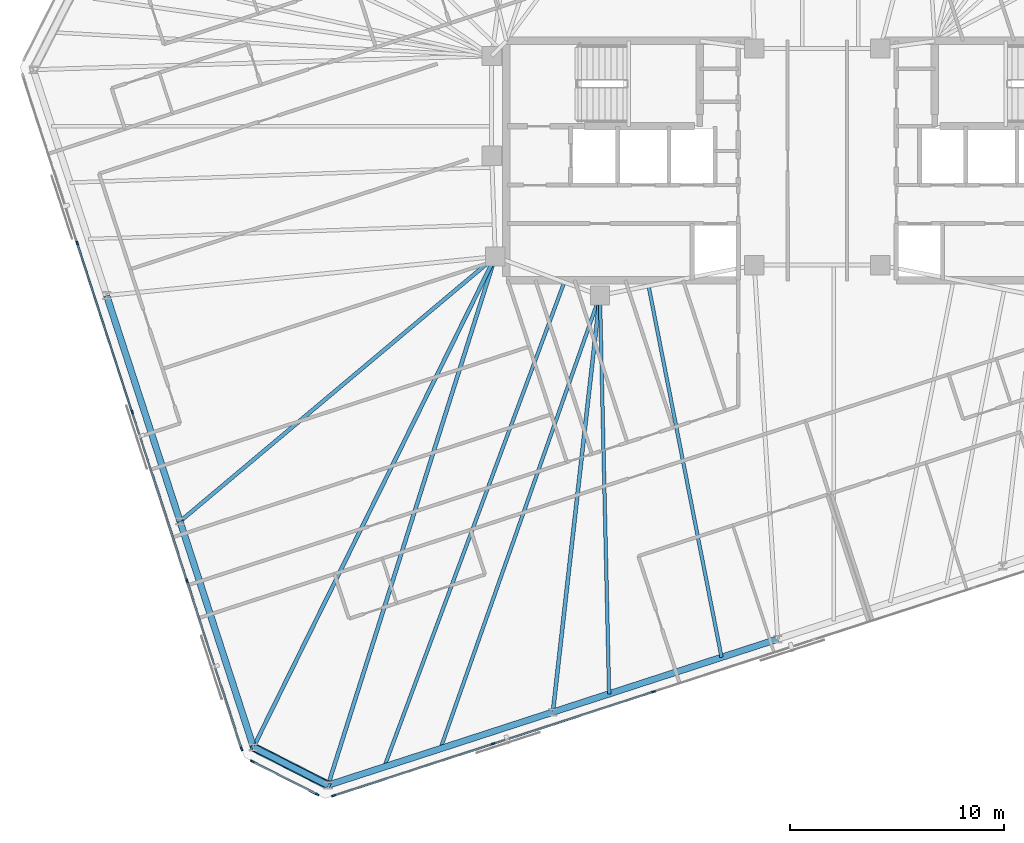
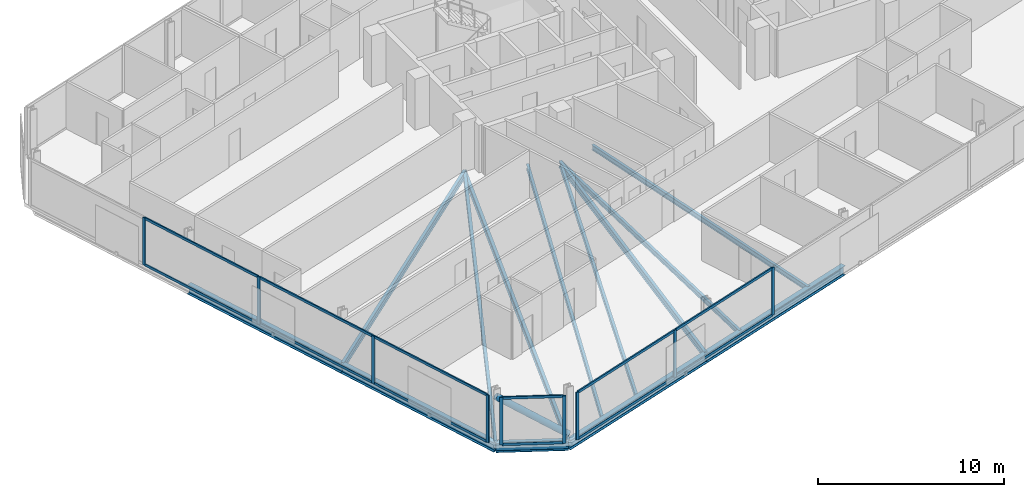
# One storey, part 5 of 20: 22 members, 13 beams, 3 elements without a shape of their own.
"""IFC4 building model written with IfcOpenShell, lengths in metres."""

from ifc_helpers import new_model, si_unit, direction, frame, origin, origin_2d, place, context, subcontext, project, spatial, rectangle, hollow_circle, i_section, extrude, material, material_profile, profile_set, type_object, element, aggregate, save


model = new_model("IFC4")

# Units and contexts
model_context = context("Model", 3, precision=1e-05, world=origin(), true_north=direction((0.0, 1.0)))
body_context = subcontext(model_context, "Body", "Model", "MODEL_VIEW")
ifc_project = project(units=[si_unit("LENGTHUNIT", "METRE"), si_unit("AREAUNIT", "SQUARE_METRE"), si_unit("VOLUMEUNIT", "CUBIC_METRE"), si_unit("PLANEANGLEUNIT", "RADIAN"), si_unit("MASSUNIT", "GRAM", prefix="KILO")], contexts=[model_context])

# Site, building, storey
site_placement = place(None, origin())
site = spatial("IfcSite", under=ifc_project, at=site_placement, CompositionType="ELEMENT")
building_placement = place(site_placement, origin())
building = spatial("IfcBuilding", under=site, at=building_placement, Name="Menara Jurai Vektor", CompositionType="ELEMENT")
storey_placement = place(building_placement, frame((0.0, 0.0, 224.300048828125)))
storey = spatial("IfcBuildingStorey", under=building, at=storey_placement, Name="L59", CompositionType="ELEMENT", Elevation=224.300048828125)

# Curtain wall, members
ifc_material_1 = material(Name="Anodised Pale Aluminium & Low-E Double Glazing", Category="aluminium")
curtain_wall_type = type_object("IfcCurtainWallType", Name="CW-BLK4", PredefinedType="NOTDEFINED", material=ifc_material_1)
curtain_wall_1_placement = place(storey_placement, origin())
curtain_wall_1 = element("IfcCurtainWall", 1, at=curtain_wall_1_placement, inside=storey, type_object=curtain_wall_type, Name="Unitised Curtain Wall L59 F01", PredefinedType="NOTDEFINED")
ifc_material_2 = material(Name="Anodised Pale Aluminium Mullion", Category="aluminium")
ifc_material_profile_1 = material_profile(ifc_material_2, rectangle(XDim=0.080078125, YDim=0.18994140625, at=origin_2d()), Name="ALU MUL 80x190")
ifc_profile_set_1 = profile_set([ifc_material_profile_1], Name="Anodised Pale Aluminium Mullion")
member_type_1 = type_object("IfcMemberType", Name="CW-BLK4-MUL", PredefinedType="MULLION", material=ifc_profile_set_1)
member_1_placement = place(storey_placement, frame((-22.649658203125, -29.743896484375, 0.0), z_axis=(0.0, 0.0, 1.0), x_axis=(-0.309017344167, 0.951056402641, 0.0)))
member_1 = element("IfcMember", 2, at=member_1_placement, type_object=member_type_1, Name="CW-04 mullion 1", PredefinedType="MULLION", context=body_context, shape_type="SweptSolid", body=[
    extrude(rectangle(XDim=0.080078125, YDim=0.18994140625, at=origin_2d()), origin(), (0.0, 0.0, 1.0), 3.125),
])
member_2_placement = place(storey_placement, frame((-15.1826171875, -27.317626953125, 0.0), z_axis=(0.0, 0.0, 1.0), x_axis=(-0.309017344167, 0.951056402641, 0.0)))
member_2 = element("IfcMember", 3, at=member_2_placement, type_object=member_type_1, Name="CW-04 mullion 2", PredefinedType="MULLION", context=body_context, shape_type="SweptSolid", body=[
    extrude(rectangle(XDim=0.080078125, YDim=0.18994140625, at=origin_2d()), origin(), (0.0, 0.0, 1.0), 3.125),
])
member_3_placement = place(storey_placement, frame((-7.677490234375, -24.879150390625, 0.0), z_axis=(0.0, 0.0, 1.0), x_axis=(-0.309017344167, 0.951056402641, 0.0)))
member_3 = element("IfcMember", 4, at=member_3_placement, type_object=member_type_1, Name="CW-04 mullion 3", PredefinedType="MULLION", context=body_context, shape_type="SweptSolid", body=[
    extrude(rectangle(XDim=0.080078125, YDim=0.18994140625, at=origin_2d()), origin(), (0.0, 0.0, 1.0), 3.125),
])

curtain_wall_2_placement = place(storey_placement, origin())
curtain_wall_2 = element("IfcCurtainWall", 5, at=curtain_wall_2_placement, inside=storey, type_object=curtain_wall_type, Name="Unitised Curtain Wall L59 F07", PredefinedType="NOTDEFINED")
member_4_placement = place(storey_placement, frame((-34.650634765625, -3.876220703125, 0.0), z_axis=(0.0, 0.0, 1.0), x_axis=(0.95105668295, 0.309016481464, 0.0)))
member_4 = element("IfcMember", 6, at=member_4_placement, type_object=member_type_1, Name="CW-04 mullion 2", PredefinedType="MULLION", context=body_context, shape_type="SweptSolid", body=[
    extrude(rectangle(XDim=0.080078125, YDim=0.18994140625, at=origin_2d()), origin(), (0.0, 0.0, 1.0), 3.125),
])
member_5_placement = place(storey_placement, frame((-32.082763671875, -11.779541015625, 0.0), z_axis=(0.0, 0.0, 1.0), x_axis=(0.95105668295, 0.309016481464, 0.0)))
member_5 = element("IfcMember", 7, at=member_5_placement, type_object=member_type_1, Name="CW-04 mullion 3", PredefinedType="MULLION", context=body_context, shape_type="SweptSolid", body=[
    extrude(rectangle(XDim=0.080078125, YDim=0.18994140625, at=origin_2d()), origin(), (0.0, 0.0, 1.0), 3.125),
])
member_6_placement = place(storey_placement, frame((-29.514892578125, -19.682861328125, 0.0), z_axis=(0.0, 0.0, 1.0), x_axis=(0.95105668295, 0.309016481464, 0.0)))
member_6 = element("IfcMember", 8, at=member_6_placement, type_object=member_type_1, Name="CW-04 mullion 4", PredefinedType="MULLION", context=body_context, shape_type="SweptSolid", body=[
    extrude(rectangle(XDim=0.080078125, YDim=0.18994140625, at=origin_2d()), origin(), (0.0, 0.0, 1.0), 3.125),
])
member_7_placement = place(storey_placement, frame((-26.959228515625, -27.548095703125, 0.0), z_axis=(0.0, 0.0, 1.0), x_axis=(0.95105668295, 0.309016481464, 0.0)))
member_7 = element("IfcMember", 9, at=member_7_placement, type_object=member_type_1, Name="CW-04 mullion 5", PredefinedType="MULLION", context=body_context, shape_type="SweptSolid", body=[
    extrude(rectangle(XDim=0.080078125, YDim=0.18994140625, at=origin_2d()), origin(), (0.0, 0.0, 1.0), 3.125),
])

curtain_wall_3_placement = place(storey_placement, origin())
curtain_wall_3 = element("IfcCurtainWall", 10, at=curtain_wall_3_placement, inside=storey, type_object=curtain_wall_type, Name="Unitised Curtain Wall L59 F08", PredefinedType="NOTDEFINED")
member_8_placement = place(storey_placement, frame((-26.455322265625, -28.13818359375, 0.0), z_axis=(0.0, 0.0, 1.0), x_axis=(0.453988579828, 0.89100750243, 0.0)))
member_8 = element("IfcMember", 11, at=member_8_placement, type_object=member_type_1, Name="CW-04 mullion 1", PredefinedType="MULLION", context=body_context, shape_type="SweptSolid", body=[
    extrude(rectangle(XDim=0.080078125, YDim=0.18994140625, at=origin_2d()), origin(), (0.0, 0.0, 1.0), 3.125),
])
member_9_placement = place(storey_placement, frame((-23.42333984375, -29.682861328125, 0.0), z_axis=(0.0, 0.0, 1.0), x_axis=(0.453988579828, 0.89100750243, 0.0)))
member_9 = element("IfcMember", 12, at=member_9_placement, type_object=member_type_1, Name="CW-04 mullion 2", PredefinedType="MULLION", context=body_context, shape_type="SweptSolid", body=[
    extrude(rectangle(XDim=0.080078125, YDim=0.18994140625, at=origin_2d()), origin(), (0.0, 0.0, 1.0), 3.125),
])

# Member
ifc_material_3 = material(Name="Anodised Pale Aluminium Transom", Category="aluminium")
ifc_material_profile_2 = material_profile(ifc_material_3, rectangle(XDim=0.080078125, YDim=0.1650390625, at=origin_2d()), Name="ALU TRN 80x165")
ifc_profile_set_2 = profile_set([ifc_material_profile_2], Name="Anodised Pale Aluminium Transom")
member_type_2 = type_object("IfcMemberType", Name="CW-BLK4-TRN", PredefinedType="USERDEFINED", material=ifc_profile_set_2)
member_10_placement = place(storey_placement, frame((-22.61181640625, -29.7314453125, 0.0400390625), z_axis=(0.951062230089, 0.308999408573, 0.0), x_axis=(-0.308999408573, 0.951062230089, 0.0)))
member_10 = element("IfcMember", 13, at=member_10_placement, type_object=member_type_2, Name="CW-04 transom 1.1", ObjectType="TRANSOM", PredefinedType="USERDEFINED", context=body_context, shape_type="SweptSolid", body=[
    extrude(rectangle(XDim=0.080078125, YDim=0.1650390625, at=origin_2d()), origin(), (0.0, 0.0, 1.0), 7.771484375),
])

member_11_placement = place(storey_placement, frame((-22.61181640625, -29.7314453125, 3.0849609375), z_axis=(0.951062230089, 0.308999408573, 0.0), x_axis=(-0.308999408573, 0.951062230089, 0.0)))
member_11 = element("IfcMember", 14, at=member_11_placement, type_object=member_type_2, Name="CW-04 transom 1.2", ObjectType="TRANSOM", PredefinedType="USERDEFINED", context=body_context, shape_type="SweptSolid", body=[
    extrude(rectangle(XDim=0.080078125, YDim=0.1650390625, at=origin_2d()), origin(), (0.0, 0.0, 1.0), 7.771484375),
])

member_12_placement = place(storey_placement, frame((-15.14453125, -27.30517578125, 0.0400390625), z_axis=(0.95105634578, 0.309017519167, 0.0), x_axis=(-0.309017519167, 0.95105634578, 0.0)))
member_12 = element("IfcMember", 15, at=member_12_placement, type_object=member_type_2, Name="CW-04 transom 2.1", ObjectType="TRANSOM", PredefinedType="USERDEFINED", context=body_context, shape_type="SweptSolid", body=[
    extrude(rectangle(XDim=0.080078125, YDim=0.1650390625, at=origin_2d()), origin(), (0.0, 0.0, 1.0), 7.811279296875),
])

member_13_placement = place(storey_placement, frame((-15.14453125, -27.30517578125, 3.0849609375), z_axis=(0.95105634578, 0.309017519167, 0.0), x_axis=(-0.309017519167, 0.95105634578, 0.0)))
member_13 = element("IfcMember", 16, at=member_13_placement, type_object=member_type_2, Name="CW-04 transom 2.2", ObjectType="TRANSOM", PredefinedType="USERDEFINED", context=body_context, shape_type="SweptSolid", body=[
    extrude(rectangle(XDim=0.080078125, YDim=0.1650390625, at=origin_2d()), origin(), (0.0, 0.0, 1.0), 7.811279296875),
])

aggregate(curtain_wall_1, [member_1, member_2, member_3, member_10, member_11, member_12, member_13])

member_14_placement = place(storey_placement, frame((-34.638427734375, -3.914306640625, 0.0400390625), z_axis=(0.309018994408, -0.951055866443, 0.0), x_axis=(0.951055866443, 0.309018994408, 0.0)))
member_14 = element("IfcMember", 17, at=member_14_placement, type_object=member_type_2, Name="CW-04 transom 2.1", ObjectType="TRANSOM", PredefinedType="USERDEFINED", context=body_context, shape_type="SweptSolid", body=[
    extrude(rectangle(XDim=0.080078125, YDim=0.1650390625, at=origin_2d()), origin(), (0.0, 0.0, 1.0), 8.22998046875),
])

member_15_placement = place(storey_placement, frame((-34.638427734375, -3.914306640625, 3.0849609375), z_axis=(0.309018994408, -0.951055866443, 0.0), x_axis=(0.951055866443, 0.309018994408, 0.0)))
member_15 = element("IfcMember", 18, at=member_15_placement, type_object=member_type_2, Name="CW-04 transom 2.2", ObjectType="TRANSOM", PredefinedType="USERDEFINED", context=body_context, shape_type="SweptSolid", body=[
    extrude(rectangle(XDim=0.080078125, YDim=0.1650390625, at=origin_2d()), origin(), (0.0, 0.0, 1.0), 8.22998046875),
])

member_16_placement = place(storey_placement, frame((-32.0703125, -11.817626953125, 0.0400390625), z_axis=(0.309018994408, -0.951055866443, 0.0), x_axis=(0.951055866443, 0.309018994408, 0.0)))
member_16 = element("IfcMember", 19, at=member_16_placement, type_object=member_type_2, Name="CW-04 transom 3.1", ObjectType="TRANSOM", PredefinedType="USERDEFINED", context=body_context, shape_type="SweptSolid", body=[
    extrude(rectangle(XDim=0.080078125, YDim=0.1650390625, at=origin_2d()), origin(), (0.0, 0.0, 1.0), 8.22998046875),
])

member_17_placement = place(storey_placement, frame((-32.0703125, -11.817626953125, 3.0849609375), z_axis=(0.309018994408, -0.951055866443, 0.0), x_axis=(0.951055866443, 0.309018994408, 0.0)))
member_17 = element("IfcMember", 20, at=member_17_placement, type_object=member_type_2, Name="CW-04 transom 3.2", ObjectType="TRANSOM", PredefinedType="USERDEFINED", context=body_context, shape_type="SweptSolid", body=[
    extrude(rectangle(XDim=0.080078125, YDim=0.1650390625, at=origin_2d()), origin(), (0.0, 0.0, 1.0), 8.22998046875),
])

member_18_placement = place(storey_placement, frame((-29.50244140625, -19.720947265625, 0.0400390625), z_axis=(0.309010577384, -0.951058601278, 0.0), x_axis=(0.951058601278, 0.309010577384, 0.0)))
member_18 = element("IfcMember", 21, at=member_18_placement, type_object=member_type_2, Name="CW-04 transom 4.1", ObjectType="TRANSOM", PredefinedType="USERDEFINED", context=body_context, shape_type="SweptSolid", body=[
    extrude(rectangle(XDim=0.080078125, YDim=0.1650390625, at=origin_2d()), origin(), (0.0, 0.0, 1.0), 8.18994140625),
])

member_19_placement = place(storey_placement, frame((-29.50244140625, -19.720947265625, 3.0849609375), z_axis=(0.309010577384, -0.951058601278, 0.0), x_axis=(0.951058601278, 0.309010577384, 0.0)))
member_19 = element("IfcMember", 22, at=member_19_placement, type_object=member_type_2, Name="CW-04 transom 4.2", ObjectType="TRANSOM", PredefinedType="USERDEFINED", context=body_context, shape_type="SweptSolid", body=[
    extrude(rectangle(XDim=0.080078125, YDim=0.1650390625, at=origin_2d()), origin(), (0.0, 0.0, 1.0), 8.18994140625),
])

aggregate(curtain_wall_2, [member_4, member_5, member_6, member_7, member_14, member_15, member_16, member_17, member_18, member_19])

member_20_placement = place(storey_placement, frame((-26.419677734375, -28.15625, 0.0400390625), z_axis=(0.89100697374, -0.453989617444, 0.0), x_axis=(0.453989617444, 0.89100697374, 0.0)))
member_20 = element("IfcMember", 23, at=member_20_placement, type_object=member_type_2, Name="CW-04 transom 1.1", ObjectType="TRANSOM", PredefinedType="USERDEFINED", context=body_context, shape_type="SweptSolid", body=[
    extrude(rectangle(XDim=0.080078125, YDim=0.1650390625, at=origin_2d()), origin(), (0.0, 0.0, 1.0), 3.32275390625),
])

member_21_placement = place(storey_placement, frame((-26.419677734375, -28.15625, 3.0849609375), z_axis=(0.89100697374, -0.453989617444, 0.0), x_axis=(0.453989617444, 0.89100697374, 0.0)))
member_21 = element("IfcMember", 24, at=member_21_placement, type_object=member_type_2, Name="CW-04 transom 1.2", ObjectType="TRANSOM", PredefinedType="USERDEFINED", context=body_context, shape_type="SweptSolid", body=[
    extrude(rectangle(XDim=0.080078125, YDim=0.1650390625, at=origin_2d()), origin(), (0.0, 0.0, 1.0), 3.32275390625),
])

aggregate(curtain_wall_3, [member_8, member_9, member_20, member_21])

# Beams
ifc_material_4 = material(Name="Steel S355", Category="steel")
ifc_material_profile_3 = material_profile(ifc_material_4, i_section(OverallWidth=0.18505859375, OverallDepth=0.429931640625, WebThickness=0.010986328125, FlangeThickness=0.01806640625, at=origin_2d()), Name="PG 430x185x76")
ifc_profile_set_3 = profile_set([ifc_material_profile_3], Name="Steel S355")
beam_type_1 = type_object("IfcBeamType", Name="STR-BM-430", PredefinedType="BEAM", material=ifc_profile_set_3)
beam_1_placement = place(storey_placement, frame((-22.912841796875, -29.2509765625, -0.43994140625), z_axis=(0.301715059084, 0.953398145122, 0.0), x_axis=(-0.953398145122, 0.301715059084, 0.0)))
element("IfcBeam", 25, at=beam_1_placement, inside=storey, type_object=beam_type_1, Name="Radial Floor Girder L59-S1", PredefinedType="BEAM", context=body_context, shape_type="SweptSolid", body=[
    extrude(i_section(OverallWidth=0.18505859375, OverallDepth=0.429931640625, WebThickness=0.010986328125, FlangeThickness=0.01806640625, at=origin_2d()), origin(), (0.0, 0.0, 1.0), 25.960693359375),
])
beam_2_placement = place(storey_placement, frame((-12.383544921875, -25.829833984375, -0.43994140625), z_axis=(0.112235588534, 0.993681625404, 0.0), x_axis=(-0.993681625404, 0.112235588534, 0.0)))
element("IfcBeam", 26, at=beam_2_placement, inside=storey, type_object=beam_type_1, Name="Radial Floor Girder L59-S2", PredefinedType="BEAM", context=body_context, shape_type="SweptSolid", body=[
    extrude(i_section(OverallWidth=0.18505859375, OverallDepth=0.429931640625, WebThickness=0.010986328125, FlangeThickness=0.01806640625, at=origin_2d()), origin(), (0.0, 0.0, 1.0), 19.6337890625),
])
beam_3_placement = place(storey_placement, frame((-29.841796875, -16.896728515625, -0.43994140625), z_axis=(0.765784449649, 0.64309733064, 0.0), x_axis=(-0.64309733064, 0.765784449649, 0.0)))
element("IfcBeam", 27, at=beam_3_placement, inside=storey, type_object=beam_type_1, Name="Radial Floor Girder L59-W3", PredefinedType="BEAM", context=body_context, shape_type="SweptSolid", body=[
    extrude(i_section(OverallWidth=0.18505859375, OverallDepth=0.429931640625, WebThickness=0.010986328125, FlangeThickness=0.01806640625, at=origin_2d()), origin(), (0.0, 0.0, 1.0), 19.276611328125),
])
beam_4_placement = place(storey_placement, frame((-26.406005859375, -27.47119140625, -0.43994140625), z_axis=(0.442219272094, 0.896906971424, 0.0), x_axis=(-0.896906971424, 0.442219272094, 0.0)))
element("IfcBeam", 28, at=beam_4_placement, inside=storey, type_object=beam_type_1, Name="Radial Floor Girder L59-W4", PredefinedType="BEAM", context=body_context, shape_type="SweptSolid", body=[
    extrude(i_section(OverallWidth=0.18505859375, OverallDepth=0.429931640625, WebThickness=0.010986328125, FlangeThickness=0.01806640625, at=origin_2d()), origin(), (0.0, 0.0, 1.0), 25.611572265625),
])

# Member
ifc_material_5 = material(Name="Steel S460", Category="steel")
ifc_material_profile_4 = material_profile(ifc_material_5, hollow_circle(Radius=0.203125, WallThickness=0.01611328125, at=origin_2d()), Name="CHS 406.4x16")
ifc_profile_set_4 = profile_set([ifc_material_profile_4], Name="Steel S460")
member_type_3 = type_object("IfcMemberType", Name="STR-BR-406", PredefinedType="BRACE", material=ifc_profile_set_4)
member_22_placement = place(storey_placement, frame((-22.912841796875, -29.2509765625, 0.14990234375), z_axis=(-0.740375367811, 0.377225079071, 0.556368182465), x_axis=(-0.453976155955, -0.891013832566, 0.0)))
element("IfcMember", 29, at=member_22_placement, inside=storey, type_object=member_type_3, Name="Exoskeleton Corner Brace L59-4", PredefinedType="BRACE", context=body_context, shape_type="SweptSolid", body=[
    extrude(hollow_circle(Radius=0.203125, WallThickness=0.01611328125, at=origin_2d()), origin(), (0.0, 0.0, 1.0), 4.718017578125),
])

# Beams
ifc_material_profile_5 = material_profile(ifc_material_4, i_section(OverallWidth=0.1650390625, OverallDepth=0.330078125, WebThickness=0.009033203125, FlangeThickness=0.013916015625, at=origin_2d()), Name="PG 330x165x46")
ifc_profile_set_5 = profile_set([ifc_material_profile_5], Name="Steel S355")
beam_type_2 = type_object("IfcBeamType", Name="STR-JS-330", PredefinedType="JOIST", material=ifc_profile_set_5)
beam_5_placement = place(storey_placement, frame((-20.280517578125, -28.395751953125, -0.39013671875), z_axis=(0.348182225555, 0.937426870645, 0.0), x_axis=(-0.937426870645, 0.348182225555, 0.0)))
element("IfcBeam", 30, at=beam_5_placement, inside=storey, type_object=beam_type_2, Name="Radial Secondary Floor Joist L59-JS01", PredefinedType="JOIST", context=body_context, shape_type="SweptSolid", body=[
    extrude(i_section(OverallWidth=0.1650390625, OverallDepth=0.330078125, WebThickness=0.009033203125, FlangeThickness=0.013916015625, at=origin_2d()), origin(), (0.0, 0.0, 1.0), 24.211181640625),
])
beam_6_placement = place(storey_placement, frame((-17.648193359375, -27.540283203125, -0.39013671875), z_axis=(0.331980963321, 0.943286085974, 0.0), x_axis=(-0.943286085974, 0.331980963321, 0.0)))
element("IfcBeam", 31, at=beam_6_placement, inside=storey, type_object=beam_type_2, Name="Radial Secondary Floor Joist L59-JS02", PredefinedType="JOIST", context=body_context, shape_type="SweptSolid", body=[
    extrude(i_section(OverallWidth=0.1650390625, OverallDepth=0.330078125, WebThickness=0.009033203125, FlangeThickness=0.013916015625, at=origin_2d()), origin(), (0.0, 0.0, 1.0), 22.49609375),
])
beam_7_placement = place(storey_placement, frame((-9.751220703125, -24.974609375, -0.39013671875), z_axis=(-0.022975519442, 0.999736027913, 0.0), x_axis=(-0.999736027913, -0.022975519442, 0.0)))
element("IfcBeam", 32, at=beam_7_placement, inside=storey, type_object=beam_type_2, Name="Radial Secondary Floor Joist L59-JS03", PredefinedType="JOIST", context=body_context, shape_type="SweptSolid", body=[
    extrude(i_section(OverallWidth=0.1650390625, OverallDepth=0.330078125, WebThickness=0.009033203125, FlangeThickness=0.013916015625, at=origin_2d()), origin(), (0.0, 0.0, 1.0), 18.659423828125),
])
beam_8_placement = place(storey_placement, frame((-4.486572265625, -23.263916015625, -0.39013671875), z_axis=(-0.192724225092, 0.981252960792, 0.0), x_axis=(-0.981252960792, -0.192724225092, 0.0)))
element("IfcBeam", 33, at=beam_8_placement, inside=storey, type_object=beam_type_2, Name="Radial Secondary Floor Joist L59-JS04", PredefinedType="JOIST", context=body_context, shape_type="SweptSolid", body=[
    extrude(i_section(OverallWidth=0.1650390625, OverallDepth=0.330078125, WebThickness=0.009033203125, FlangeThickness=0.013916015625, at=origin_2d()), origin(), (0.0, 0.0, 1.0), 17.7236328125),
])
ifc_material_profile_6 = material_profile(ifc_material_4, i_section(OverallWidth=0.306884765625, OverallDepth=0.6201171875, WebThickness=0.013916015625, FlangeThickness=0.02392578125, FilletRadius=0.01708984375, at=origin_2d()), Name="UKB 610x305x179")
ifc_profile_set_6 = profile_set([ifc_material_profile_6], Name="Steel S355")
beam_type_3 = type_object("IfcBeamType", Name="STR-SP-610", PredefinedType="SPANDREL", material=ifc_profile_set_6)
for number, where, z_axis, x_axis, name in (
    (34, (-22.912841796875, -29.2509765625, -0.53515625), (0.951057401967, 0.309014268544, 0.0), (-0.309014268544, 0.951057401967, 0.0), "Exoskeleton Spandrel Beam L59-01"),
    (35, (-12.383544921875, -25.829833984375, -0.53515625), (0.951057401967, 0.309014268544, 0.0), (-0.309014268544, 0.951057401967, 0.0), "Exoskeleton Spandrel Beam L59-02"),
):
    element("IfcBeam", number, at=place(storey_placement, frame(where, z_axis=z_axis, x_axis=x_axis)), inside=storey, type_object=beam_type_3, Name=name, PredefinedType="SPANDREL", context=body_context, shape_type="SweptSolid", body=[
        extrude(i_section(OverallWidth=0.306884765625, OverallDepth=0.6201171875, WebThickness=0.013916015625, FlangeThickness=0.02392578125, FilletRadius=0.01708984375, at=origin_2d()), origin(), (0.0, 0.0, 1.0), 11.071044921875),
    ])
beam_9_placement = place(storey_placement, frame((-33.277587890625, -6.322509765625, -0.53515625), z_axis=(0.309018545885, -0.951056012178, 0.0), x_axis=(0.951056012178, 0.309018545885, 0.0)))
element("IfcBeam", 36, at=beam_9_placement, inside=storey, type_object=beam_type_3, Name="Exoskeleton Spandrel Beam L59-18", PredefinedType="SPANDREL", context=body_context, shape_type="SweptSolid", body=[
    extrude(i_section(OverallWidth=0.306884765625, OverallDepth=0.6201171875, WebThickness=0.013916015625, FlangeThickness=0.02392578125, FilletRadius=0.01708984375, at=origin_2d()), origin(), (0.0, 0.0, 1.0), 11.118408203125),
])
beam_10_placement = place(storey_placement, frame((-29.841796875, -16.896728515625, -0.53515625), z_axis=(0.309012092614, -0.95105810896, 0.0), x_axis=(0.95105810896, 0.309012092614, 0.0)))
element("IfcBeam", 37, at=beam_10_placement, inside=storey, type_object=beam_type_3, Name="Exoskeleton Spandrel Beam L59-19", PredefinedType="SPANDREL", context=body_context, shape_type="SweptSolid", body=[
    extrude(i_section(OverallWidth=0.306884765625, OverallDepth=0.6201171875, WebThickness=0.013916015625, FlangeThickness=0.02392578125, FilletRadius=0.01708984375, at=origin_2d()), origin(), (0.0, 0.0, 1.0), 11.11865234375),
])
beam_11_placement = place(storey_placement, frame((-26.406005859375, -27.47119140625, -0.53515625), z_axis=(0.891013832566, -0.453976155955, 0.0), x_axis=(0.453976155955, 0.891013832566, 0.0)))
element("IfcBeam", 38, at=beam_11_placement, inside=storey, type_object=beam_type_3, Name="Exoskeleton Spandrel Beam L59-20", PredefinedType="SPANDREL", context=body_context, shape_type="SweptSolid", body=[
    extrude(i_section(OverallWidth=0.306884765625, OverallDepth=0.6201171875, WebThickness=0.013916015625, FlangeThickness=0.02392578125, FilletRadius=0.01708984375, at=origin_2d()), origin(), (0.0, 0.0, 1.0), 3.92041015625),
])

save(model, "model.ifc")
